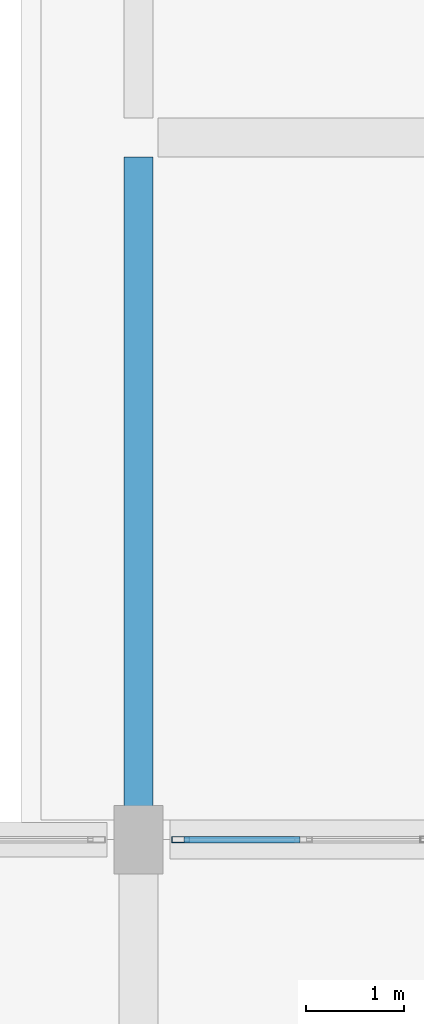
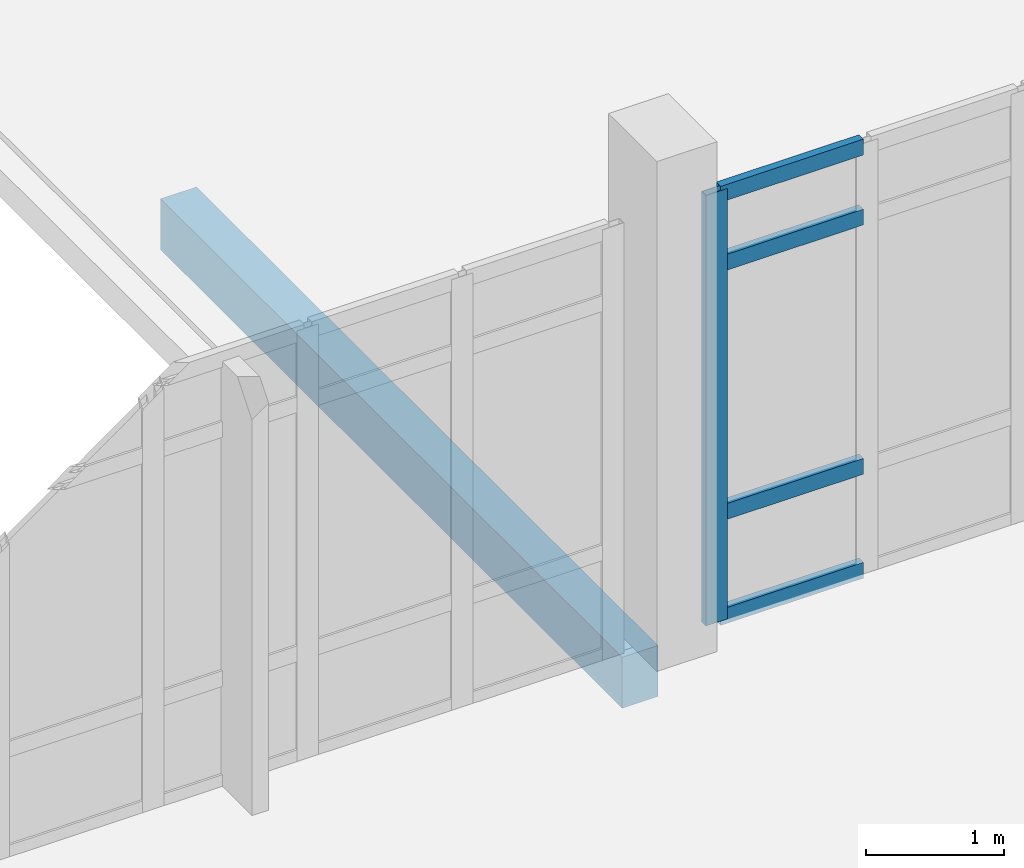
# One storey, part 39 of 134: 5 members, 1 beam, 1 element without a shape of its own.
"""IFC4 building model written with IfcOpenShell, lengths in metres."""

from ifc_helpers import new_model, si_unit, direction, frame, origin, origin_2d, place, context, subcontext, project, spatial, rectangle, hollow_rectangle, extrude, material, material_profile, profile_set, type_object, element, aggregate, save


model = new_model("IFC4")

# Units and contexts
model_context = context("Model", 3, precision=1e-05, world=origin(), true_north=direction((0.0, 1.0)))
body_context = subcontext(model_context, "Body", "Model", "MODEL_VIEW")
ifc_project = project(units=[si_unit("LENGTHUNIT", "METRE"), si_unit("AREAUNIT", "SQUARE_METRE"), si_unit("VOLUMEUNIT", "CUBIC_METRE"), si_unit("PLANEANGLEUNIT", "RADIAN"), si_unit("MASSUNIT", "GRAM", prefix="KILO")], contexts=[model_context])

# Site, building, storey
site_placement = place(None, origin())
site = spatial("IfcSite", under=ifc_project, at=site_placement, CompositionType="ELEMENT")
building_placement = place(site_placement, origin())
building = spatial("IfcBuilding", under=site, at=building_placement, Name="Kalluvel Institute of Natural Sciences", CompositionType="ELEMENT")
storey_placement = place(building_placement, frame((0.0, 0.0, 5.39990234375)))
storey = spatial("IfcBuildingStorey", under=building, at=storey_placement, Name="L01", CompositionType="ELEMENT", Elevation=5.39990234375)

# Curtain wall, members
ifc_material_1 = material(Name="Aluminium AW-6063 T6", Category="aluminium")
curtain_wall_type = type_object("IfcCurtainWallType", Name="CW-SPAV-45", PredefinedType="USERDEFINED", material=ifc_material_1)
curtain_wall_placement = place(storey_placement, origin())
curtain_wall = element("IfcCurtainWall", 1, at=curtain_wall_placement, inside=storey, type_object=curtain_wall_type, Name="L01 Gothic lancet curtain wall CWA-L01-X1080-Y356", ObjectType="UNITISED LANCET FACADE", PredefinedType="USERDEFINED")
ifc_material_profile_1 = material_profile(ifc_material_1, hollow_rectangle(XDim=0.06494140625, YDim=0.179931640625, WallThickness=0.00439453125, at=origin_2d()), Name="CWM 65x180")
ifc_profile_set_1 = profile_set([ifc_material_profile_1], Name="Aluminium AW-6063 T6")
member_type_1 = type_object("IfcMemberType", Name="CWM-65x180", PredefinedType="MULLION", material=ifc_profile_set_1)
member_1_placement = place(storey_placement, frame((108.032470703125, 35.60009765625, 0.0), z_axis=(0.0, 0.0, 1.0), x_axis=(0.0, 1.0, 0.0)))
member_1 = element("IfcMember", 2, at=member_1_placement, type_object=member_type_1, Name="CW-10 mullion 1", PredefinedType="MULLION", context=body_context, shape_type="SweptSolid", body=[
    extrude(hollow_rectangle(XDim=0.06494140625, YDim=0.179931640625, WallThickness=0.00439453125, at=origin_2d()), origin(), (0.0, 0.0, 1.0), 3.800048828125),
])
ifc_material_profile_2 = material_profile(ifc_material_1, hollow_rectangle(XDim=0.06494140625, YDim=0.139892578125, WallThickness=0.00439453125, at=origin_2d()), Name="CWT 65x140")
ifc_profile_set_2 = profile_set([ifc_material_profile_2], Name="Aluminium AW-6063 T6")
member_type_2 = type_object("IfcMemberType", Name="CWT-65x140", PredefinedType="USERDEFINED", material=ifc_profile_set_2)
member_2_placement = place(storey_placement, frame((108.06494140625, 35.60009765625, 0.03271484375), z_axis=(1.0, 0.0, 0.0), x_axis=(0.0, 1.0, 0.0)))
member_2 = element("IfcMember", 3, at=member_2_placement, type_object=member_type_2, Name="CW-10 transom 1.1", ObjectType="TRANSOM", PredefinedType="USERDEFINED", context=body_context, shape_type="SweptSolid", body=[
    extrude(hollow_rectangle(XDim=0.06494140625, YDim=0.139892578125, WallThickness=0.00439453125, at=origin_2d()), origin(), (0.0, 0.0, 1.0), 1.192626953125),
])
member_3_placement = place(storey_placement, frame((108.06494140625, 35.60009765625, 0.9501953125), z_axis=(1.0, 0.0, 0.0), x_axis=(0.0, 1.0, 0.0)))
member_3 = element("IfcMember", 4, at=member_3_placement, type_object=member_type_2, Name="CW-10 transom 1.2", ObjectType="TRANSOM", PredefinedType="USERDEFINED", context=body_context, shape_type="SweptSolid", body=[
    extrude(hollow_rectangle(XDim=0.06494140625, YDim=0.139892578125, WallThickness=0.00439453125, at=origin_2d()), origin(), (0.0, 0.0, 1.0), 1.192626953125),
])
member_4_placement = place(storey_placement, frame((108.06494140625, 35.60009765625, 3.150146484375), z_axis=(1.0, 0.0, 0.0), x_axis=(0.0, 1.0, 0.0)))
member_4 = element("IfcMember", 5, at=member_4_placement, type_object=member_type_2, Name="CW-10 transom 1.3", ObjectType="TRANSOM", PredefinedType="USERDEFINED", context=body_context, shape_type="SweptSolid", body=[
    extrude(hollow_rectangle(XDim=0.06494140625, YDim=0.139892578125, WallThickness=0.00439453125, at=origin_2d()), origin(), (0.0, 0.0, 1.0), 1.192626953125),
])
member_5_placement = place(storey_placement, frame((108.06494140625, 35.60009765625, 3.767578125), z_axis=(1.0, 0.0, 0.0), x_axis=(0.0, 1.0, 0.0)))
member_5 = element("IfcMember", 6, at=member_5_placement, type_object=member_type_2, Name="CW-10 transom 1.4", ObjectType="TRANSOM", PredefinedType="USERDEFINED", context=body_context, shape_type="SweptSolid", body=[
    extrude(hollow_rectangle(XDim=0.06494140625, YDim=0.139892578125, WallThickness=0.00439453125, at=origin_2d()), origin(), (0.0, 0.0, 1.0), 1.192626953125),
])
aggregate(curtain_wall, [member_1, member_2, member_3, member_4, member_5])

# Beam
ifc_material_2 = material(Name="Concrete M40", Category="concrete")
ifc_material_profile_3 = material_profile(ifc_material_2, rectangle(XDim=0.300048828125, YDim=0.449951171875, at=origin_2d()), Name="RCB 300x450")
ifc_profile_set_3 = profile_set([ifc_material_profile_3], Name="Concrete M40")
beam_type = type_object("IfcBeamType", Name="SP-RC300x450", PredefinedType="SPANDREL", material=ifc_profile_set_3)
beam_placement = place(storey_placement, frame((107.60009765625, 35.925048828125, -0.544921875), z_axis=(0.0, 1.0, 0.0), x_axis=(-1.0, 0.0, 0.0)))
element("IfcBeam", 7, at=beam_placement, inside=storey, type_object=beam_type, Name="L01 girder GIR-L01-NS-X1076-Y356", PredefinedType="SPANDREL", context=body_context, shape_type="SweptSolid", body=[
    extrude(rectangle(XDim=0.300048828125, YDim=0.449951171875, at=origin_2d()), origin(), (0.0, 0.0, 1.0), 6.675048828125),
])

save(model, "model.ifc")
